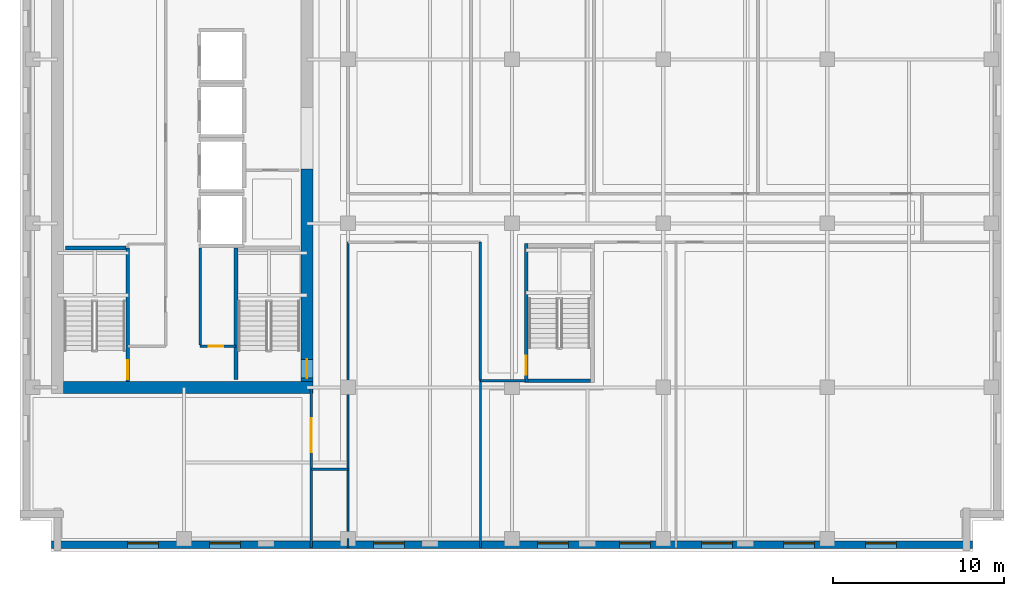
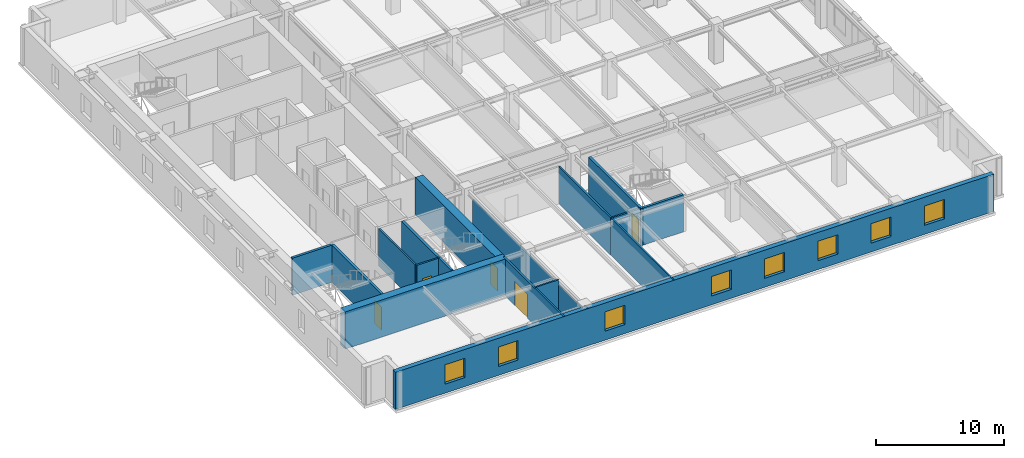
# One storey, part 3 of 11: 17 walls, 8 windows, 5 doors, 13 openings.
"""IFC4 building model written with IfcOpenShell, lengths in metres."""

from ifc_helpers import new_model, si_unit, direction, frame, frame_2d, origin, place, context, subcontext, project, spatial, rectangle, extrude, material, layer, layer_set, type_object, element, fill, save


model = new_model("IFC4")

# Units and contexts
model_context = context("Model", 3, precision=1e-05, world=origin(), true_north=direction((0.0, 1.0)))
body_context = subcontext(model_context, "Body", "Model", "MODEL_VIEW")
ifc_project = project(units=[si_unit("LENGTHUNIT", "METRE"), si_unit("AREAUNIT", "SQUARE_METRE"), si_unit("VOLUMEUNIT", "CUBIC_METRE"), si_unit("PLANEANGLEUNIT", "RADIAN"), si_unit("MASSUNIT", "GRAM", prefix="KILO")], contexts=[model_context])

# Site, building, storey
site_placement = place(None, origin())
site = spatial("IfcSite", under=ifc_project, at=site_placement, CompositionType="ELEMENT")
building_placement = place(site_placement, origin())
building = spatial("IfcBuilding", under=site, at=building_placement, Name="Norrvale University Quadrangle", CompositionType="ELEMENT")
storey_placement = place(building_placement, frame((0.0, 0.0, 210.39990234375)))
storey = spatial("IfcBuildingStorey", under=building, at=storey_placement, Name="L53", CompositionType="ELEMENT", Elevation=210.39990234375)

# Wall, openings, windows
ifc_material_1 = material(Name="Buff Norman Clay Brick Masonry", Category="masonry")
ifc_layer_1 = layer(ifc_material_1, 0.419921875, Name="Buff Norman Clay Brick Masonry")
ifc_layer_set_1 = layer_set([ifc_layer_1], Name="Buff Norman Clay Brick Masonry")
wall_type_1 = type_object("IfcWallType", Name="Wall Buff Brick 420", PredefinedType="SOLIDWALL", material=ifc_layer_set_1)
wall_1_placement = place(storey_placement, frame((1.840087890625, 0.389892578125, 0.0), z_axis=(0.0, 0.0, 1.0), x_axis=(1.0, 0.0, 0.0)))
wall_1 = element("IfcWall", 1, at=wall_1_placement, inside=storey, type_object=wall_type_1, Name="Exterior Brick Facade Wall L53-01.1", PredefinedType="SOLIDWALL", context=body_context, shape_type="SweptSolid", body=[
    extrude(rectangle(XDim=53.919921875, YDim=0.419921875, at=frame_2d((26.9599609375, 0.0))), origin(), (0.0, 0.0, 1.0), 3.5400390625),
])
opening_1_placement = place(wall_1_placement, frame((4.4599609375, 0.0, 0.85009765625)))
opening_1 = element("IfcOpeningElement", 2, at=opening_1_placement, cuts=wall_1, Name="Opening W01", PredefinedType="OPENING", context=body_context, shape_type="SweptSolid", body=[
    extrude(rectangle(XDim=1.800048828125, YDim=1.85009765625, at=frame_2d((0.89990234375, 0.925048828125))), frame((0.0, 0.221923828125, 0.0), z_axis=(0.0, -1.0, 0.0), x_axis=(1.0, 0.0, 0.0)), (0.0, 0.0, 1.0), 0.44384765625),
])
opening_2_placement = place(wall_1_placement, frame((9.260009765625, 0.0, 0.85009765625)))
opening_2 = element("IfcOpeningElement", 3, at=opening_2_placement, cuts=wall_1, Name="Opening W01", PredefinedType="OPENING", context=body_context, shape_type="SweptSolid", body=[
    extrude(rectangle(XDim=1.800048828125, YDim=1.85009765625, at=frame_2d((0.89990234375, 0.925048828125))), frame((0.0, 0.221923828125, 0.0), z_axis=(0.0, -1.0, 0.0), x_axis=(1.0, 0.0, 0.0)), (0.0, 0.0, 1.0), 0.44384765625),
])
opening_3_placement = place(wall_1_placement, frame((18.860107421875, 0.0, 0.85009765625)))
opening_3 = element("IfcOpeningElement", 4, at=opening_3_placement, cuts=wall_1, Name="Opening W01", PredefinedType="OPENING", context=body_context, shape_type="SweptSolid", body=[
    extrude(rectangle(XDim=1.800048828125, YDim=1.85009765625, at=frame_2d((0.89990234375, 0.925048828125))), frame((0.0, 0.221923828125, 0.0), z_axis=(0.0, -1.0, 0.0), x_axis=(1.0, 0.0, 0.0)), (0.0, 0.0, 1.0), 0.44384765625),
])
opening_4_placement = place(wall_1_placement, frame((28.4599609375, 0.0, 0.85009765625)))
opening_4 = element("IfcOpeningElement", 5, at=opening_4_placement, cuts=wall_1, Name="Opening W01", PredefinedType="OPENING", context=body_context, shape_type="SweptSolid", body=[
    extrude(rectangle(XDim=1.800048828125, YDim=1.85009765625, at=frame_2d((0.89990234375, 0.925048828125))), frame((0.0, 0.221923828125, 0.0), z_axis=(0.0, -1.0, 0.0), x_axis=(1.0, 0.0, 0.0)), (0.0, 0.0, 1.0), 0.44384765625),
])
opening_5_placement = place(wall_1_placement, frame((33.260009765625, 0.0, 0.85009765625)))
opening_5 = element("IfcOpeningElement", 6, at=opening_5_placement, cuts=wall_1, Name="Opening W01", PredefinedType="OPENING", context=body_context, shape_type="SweptSolid", body=[
    extrude(rectangle(XDim=1.800048828125, YDim=1.85009765625, at=frame_2d((0.89990234375, 0.925048828125))), frame((0.0, 0.221923828125, 0.0), z_axis=(0.0, -1.0, 0.0), x_axis=(1.0, 0.0, 0.0)), (0.0, 0.0, 1.0), 0.44384765625),
])
opening_6_placement = place(wall_1_placement, frame((38.06005859375, 0.0, 0.85009765625)))
opening_6 = element("IfcOpeningElement", 7, at=opening_6_placement, cuts=wall_1, Name="Opening W01", PredefinedType="OPENING", context=body_context, shape_type="SweptSolid", body=[
    extrude(rectangle(XDim=1.800048828125, YDim=1.85009765625, at=frame_2d((0.89990234375, 0.925048828125))), frame((0.0, 0.221923828125, 0.0), z_axis=(0.0, -1.0, 0.0), x_axis=(1.0, 0.0, 0.0)), (0.0, 0.0, 1.0), 0.44384765625),
])
opening_7_placement = place(wall_1_placement, frame((42.860107421875, 0.0, 0.85009765625)))
opening_7 = element("IfcOpeningElement", 8, at=opening_7_placement, cuts=wall_1, Name="Opening W01", PredefinedType="OPENING", context=body_context, shape_type="SweptSolid", body=[
    extrude(rectangle(XDim=1.800048828125, YDim=1.85009765625, at=frame_2d((0.89990234375, 0.925048828125))), frame((0.0, 0.221923828125, 0.0), z_axis=(0.0, -1.0, 0.0), x_axis=(1.0, 0.0, 0.0)), (0.0, 0.0, 1.0), 0.44384765625),
])
opening_8_placement = place(wall_1_placement, frame((47.659912109375, 0.0, 0.85009765625)))
opening_8 = element("IfcOpeningElement", 9, at=opening_8_placement, cuts=wall_1, Name="Opening W01", PredefinedType="OPENING", context=body_context, shape_type="SweptSolid", body=[
    extrude(rectangle(XDim=1.800048828125, YDim=1.85009765625, at=frame_2d((0.89990234375, 0.925048828125))), frame((0.0, 0.221923828125, 0.0), z_axis=(0.0, -1.0, 0.0), x_axis=(1.0, 0.0, 0.0)), (0.0, 0.0, 1.0), 0.44384765625),
])
ifc_material_2 = material(Name="Triple Low-E Argon Glazing", Category="glass")
window_type = type_object("IfcWindowType", Name="Window Academic 1800x2300", PartitioningType="DOUBLE_PANEL_VERTICAL", PredefinedType="WINDOW", material=ifc_material_2)
window_1_placement = place(opening_1_placement, origin())
window_1 = element("IfcWindow", 10, at=window_1_placement, inside=storey, type_object=window_type, Name="Window Academic 1800x2300 WIN-L53-E01-1-01", OverallHeight=1.85009765625, OverallWidth=1.800048828125, PartitioningType="DOUBLE_PANEL_VERTICAL", PredefinedType="WINDOW", context=body_context, shape_type="SweptSolid", body=[
    extrude(rectangle(XDim=1.800048828125, YDim=1.85009765625, at=frame_2d((0.89990234375, 0.925048828125))), frame((0.0, 0.110107421875, 0.0), z_axis=(0.0, -1.0, 0.0), x_axis=(1.0, 0.0, 0.0)), (0.0, 0.0, 1.0), 0.06005859375),
])
fill(opening_1, window_1)
window_2_placement = place(opening_2_placement, origin())
window_2 = element("IfcWindow", 11, at=window_2_placement, inside=storey, type_object=window_type, Name="Window Academic 1800x2300 WIN-L53-E01-1-02", OverallHeight=1.85009765625, OverallWidth=1.800048828125, PartitioningType="DOUBLE_PANEL_VERTICAL", PredefinedType="WINDOW", context=body_context, shape_type="SweptSolid", body=[
    extrude(rectangle(XDim=1.800048828125, YDim=1.85009765625, at=frame_2d((0.89990234375, 0.925048828125))), frame((0.0, 0.110107421875, 0.0), z_axis=(0.0, -1.0, 0.0), x_axis=(1.0, 0.0, 0.0)), (0.0, 0.0, 1.0), 0.06005859375),
])
fill(opening_2, window_2)
window_3_placement = place(opening_3_placement, origin())
window_3 = element("IfcWindow", 12, at=window_3_placement, inside=storey, type_object=window_type, Name="Window Academic 1800x2300 WIN-L53-E01-1-03", OverallHeight=1.85009765625, OverallWidth=1.800048828125, PartitioningType="DOUBLE_PANEL_VERTICAL", PredefinedType="WINDOW", context=body_context, shape_type="SweptSolid", body=[
    extrude(rectangle(XDim=1.800048828125, YDim=1.85009765625, at=frame_2d((0.89990234375, 0.925048828125))), frame((0.0, 0.110107421875, 0.0), z_axis=(0.0, -1.0, 0.0), x_axis=(1.0, 0.0, 0.0)), (0.0, 0.0, 1.0), 0.06005859375),
])
fill(opening_3, window_3)
window_4_placement = place(opening_4_placement, origin())
window_4 = element("IfcWindow", 13, at=window_4_placement, inside=storey, type_object=window_type, Name="Window Academic 1800x2300 WIN-L53-E01-1-04", OverallHeight=1.85009765625, OverallWidth=1.800048828125, PartitioningType="DOUBLE_PANEL_VERTICAL", PredefinedType="WINDOW", context=body_context, shape_type="SweptSolid", body=[
    extrude(rectangle(XDim=1.800048828125, YDim=1.85009765625, at=frame_2d((0.89990234375, 0.925048828125))), frame((0.0, 0.110107421875, 0.0), z_axis=(0.0, -1.0, 0.0), x_axis=(1.0, 0.0, 0.0)), (0.0, 0.0, 1.0), 0.06005859375),
])
fill(opening_4, window_4)
window_5_placement = place(opening_5_placement, origin())
window_5 = element("IfcWindow", 14, at=window_5_placement, inside=storey, type_object=window_type, Name="Window Academic 1800x2300 WIN-L53-E01-1-05", OverallHeight=1.85009765625, OverallWidth=1.800048828125, PartitioningType="DOUBLE_PANEL_VERTICAL", PredefinedType="WINDOW", context=body_context, shape_type="SweptSolid", body=[
    extrude(rectangle(XDim=1.800048828125, YDim=1.85009765625, at=frame_2d((0.89990234375, 0.925048828125))), frame((0.0, 0.110107421875, 0.0), z_axis=(0.0, -1.0, 0.0), x_axis=(1.0, 0.0, 0.0)), (0.0, 0.0, 1.0), 0.06005859375),
])
fill(opening_5, window_5)
window_6_placement = place(opening_6_placement, origin())
window_6 = element("IfcWindow", 15, at=window_6_placement, inside=storey, type_object=window_type, Name="Window Academic 1800x2300 WIN-L53-E01-1-06", OverallHeight=1.85009765625, OverallWidth=1.800048828125, PartitioningType="DOUBLE_PANEL_VERTICAL", PredefinedType="WINDOW", context=body_context, shape_type="SweptSolid", body=[
    extrude(rectangle(XDim=1.800048828125, YDim=1.85009765625, at=frame_2d((0.89990234375, 0.925048828125))), frame((0.0, 0.110107421875, 0.0), z_axis=(0.0, -1.0, 0.0), x_axis=(1.0, 0.0, 0.0)), (0.0, 0.0, 1.0), 0.06005859375),
])
fill(opening_6, window_6)
window_7_placement = place(opening_7_placement, origin())
window_7 = element("IfcWindow", 16, at=window_7_placement, inside=storey, type_object=window_type, Name="Window Academic 1800x2300 WIN-L53-E01-1-07", OverallHeight=1.85009765625, OverallWidth=1.800048828125, PartitioningType="DOUBLE_PANEL_VERTICAL", PredefinedType="WINDOW", context=body_context, shape_type="SweptSolid", body=[
    extrude(rectangle(XDim=1.800048828125, YDim=1.85009765625, at=frame_2d((0.89990234375, 0.925048828125))), frame((0.0, 0.110107421875, 0.0), z_axis=(0.0, -1.0, 0.0), x_axis=(1.0, 0.0, 0.0)), (0.0, 0.0, 1.0), 0.06005859375),
])
fill(opening_7, window_7)
window_8_placement = place(opening_8_placement, origin())
window_8 = element("IfcWindow", 17, at=window_8_placement, inside=storey, type_object=window_type, Name="Window Academic 1800x2300 WIN-L53-E01-1-08", OverallHeight=1.85009765625, OverallWidth=1.800048828125, PartitioningType="DOUBLE_PANEL_VERTICAL", PredefinedType="WINDOW", context=body_context, shape_type="SweptSolid", body=[
    extrude(rectangle(XDim=1.800048828125, YDim=1.85009765625, at=frame_2d((0.89990234375, 0.925048828125))), frame((0.0, 0.110107421875, 0.0), z_axis=(0.0, -1.0, 0.0), x_axis=(1.0, 0.0, 0.0)), (0.0, 0.0, 1.0), 0.06005859375),
])
fill(opening_8, window_8)

# Wall
ifc_material_3 = material(Name="Concrete C60/75", Category="concrete")
ifc_layer_2 = layer(ifc_material_3, 0.699951171875, Name="Concrete C60/75")
ifc_layer_set_2 = layer_set([ifc_layer_2], Name="Concrete C60/75")
wall_type_2 = type_object("IfcWallType", Name="Wall Core 700", PredefinedType="SHEAR", material=ifc_layer_set_2)
wall_2_placement = place(storey_placement, frame((2.550048828125, 9.60009765625, 0.0), z_axis=(0.0, 0.0, 1.0), x_axis=(1.0, 0.0, 0.0)))
element("IfcWall", 18, at=wall_2_placement, inside=storey, type_object=wall_type_2, Name="Tower Core Shear Wall L53-S", PredefinedType="SHEAR", context=body_context, shape_type="SweptSolid", body=[
    extrude(rectangle(XDim=14.599853515625, YDim=0.699951171875, at=frame_2d((7.2998046875, 0.0))), origin(), (0.0, 0.0, 1.0), 3.5400390625),
])

# Wall, opening, door
wall_3_placement = place(storey_placement, frame((16.800048828125, 9.949951171875, 0.0), z_axis=(0.0, 0.0, 1.0), x_axis=(0.0, 1.0, 0.0)))
wall_3 = element("IfcWall", 19, at=wall_3_placement, inside=storey, type_object=wall_type_2, Name="Tower Core Shear Wall L53-E1", PredefinedType="SHEAR", context=body_context, shape_type="SweptSolid", body=[
    extrude(rectangle(XDim=12.449951171875, YDim=0.699951171875, at=frame_2d((6.22509765625, 0.0))), origin(), (0.0, 0.0, 1.0), 3.5400390625),
])
opening_9_placement = place(wall_3_placement, frame((0.18994140625, 0.0, 0.0)))
opening_9 = element("IfcOpeningElement", 20, at=opening_9_placement, cuts=wall_3, Name="Opening D02", PredefinedType="OPENING", context=body_context, shape_type="SweptSolid", body=[
    extrude(rectangle(XDim=1.10009765625, YDim=2.199951171875, at=frame_2d((0.550048828125, 1.10009765625))), frame((0.0, 0.362060546875, 0.0), z_axis=(0.0, -1.0, 0.0), x_axis=(1.0, 0.0, 0.0)), (0.0, 0.0, 1.0), 0.723876953125),
])
ifc_material_4 = material(Name="Hollow Steel 350W Fire Door", Category="steel")
door_type_1 = type_object("IfcDoorType", Name="Door Stair Exit 1100x2200", OperationType="NOTDEFINED", PredefinedType="DOOR", material=ifc_material_4)
door_1_placement = place(opening_9_placement, origin())
door_1 = element("IfcDoor", 21, at=door_1_placement, inside=storey, type_object=door_type_1, Name="Door Stair Exit 1100x2200 DR-L53-ST03", OperationType="SINGLE_SWING_LEFT", OverallHeight=2.199951171875, OverallWidth=1.10009765625, PredefinedType="DOOR", context=body_context, shape_type="SweptSolid", body=[
    extrude(rectangle(XDim=1.10009765625, YDim=2.199951171875, at=frame_2d((0.550048828125, 1.10009765625))), frame((0.0, 0.02490234375, 0.0), z_axis=(0.0, -1.0, 0.0), x_axis=(1.0, 0.0, 0.0)), (0.0, 0.0, 1.0), 0.050048828125),
])
fill(opening_9, door_1)

# Walls
ifc_material_5 = material(Name="Standard Academic Gypsum Partition")
ifc_layer_3 = layer(ifc_material_5, 0.125, Name="Standard Academic Gypsum Partition")
ifc_layer_set_3 = layer_set([ifc_layer_3], Name="Standard Academic Gypsum Partition")
wall_type_3 = type_object("IfcWallType", Name="Wall Gypsum Academic 125", PredefinedType="PARTITIONING", material=ifc_layer_set_3)
wall_4_placement = place(storey_placement, frame((19.199951171875, 0.219970703125, 0.0), z_axis=(0.0, 0.0, 1.0), x_axis=(0.0, 1.0, 0.0)))
element("IfcWall", 22, at=wall_4_placement, inside=storey, type_object=wall_type_3, Name="Interior Partition WL-L53-SE-W0", PredefinedType="PARTITIONING", context=body_context, shape_type="SweptSolid", body=[
    extrude(rectangle(XDim=0.530029296875, YDim=0.125, at=frame_2d((0.26513671875, 0.0))), origin(), (0.0, 0.0, 1.0), 3.5400390625),
])
wall_5_placement = place(storey_placement, frame((19.199951171875, 0.75, 0.0), z_axis=(0.0, 0.0, 1.0), x_axis=(0.0, 1.0, 0.0)))
element("IfcWall", 23, at=wall_5_placement, inside=storey, type_object=wall_type_3, Name="Interior Partition WL-L53-SE-W0-B2", PredefinedType="PARTITIONING", context=body_context, shape_type="SweptSolid", body=[
    extrude(rectangle(XDim=17.35009765625, YDim=0.125, at=frame_2d((8.675048828125, 0.0))), origin(), (0.0, 0.0, 1.0), 3.071044921875),
])
wall_6_placement = place(storey_placement, frame((26.949951171875, 0.219970703125, 0.0), z_axis=(0.0, 0.0, 1.0), x_axis=(0.0, 1.0, 0.0)))
element("IfcWall", 24, at=wall_6_placement, inside=storey, type_object=wall_type_3, Name="Interior Partition WL-L53-SEP1A", PredefinedType="PARTITIONING", context=body_context, shape_type="SweptSolid", body=[
    extrude(rectangle(XDim=9.780029296875, YDim=0.125, at=frame_2d((4.89013671875, 0.0))), origin(), (0.0, 0.0, 1.0), 3.5400390625),
])

# Wall, opening, door
ifc_material_6 = material(Name="Fire-Rated Gypsum Stud Partition")
ifc_layer_4 = layer(ifc_material_6, 0.14990234375, Name="Fire-Rated Gypsum Stud Partition")
ifc_layer_set_4 = layer_set([ifc_layer_4], Name="Fire-Rated Gypsum Stud Partition")
wall_type_4 = type_object("IfcWallType", Name="Wall Gypsum Corridor 150", PredefinedType="PARTITIONING", material=ifc_layer_set_4)
wall_7_placement = place(storey_placement, frame((10.550048828125, 12.02001953125, 0.0), z_axis=(0.0, 0.0, 1.0), x_axis=(1.0, 0.0, 0.0)))
wall_7 = element("IfcWall", 25, at=wall_7_placement, inside=storey, type_object=wall_type_4, Name="Interior Partition WL-L53-SC-NR", PredefinedType="PARTITIONING", context=body_context, shape_type="SweptSolid", body=[
    extrude(rectangle(XDim=2.079833984375, YDim=0.14990234375, at=frame_2d((1.0400390625, 0.0))), origin(), (0.0, 0.0, 1.0), 3.5400390625),
])
opening_10_placement = place(wall_7_placement, frame((0.5, 0.0, 0.0)))
opening_10 = element("IfcOpeningElement", 26, at=opening_10_placement, cuts=wall_7, Name="Opening D10", PredefinedType="OPENING", context=body_context, shape_type="SweptSolid", body=[
    extrude(rectangle(XDim=0.85009765625, YDim=2.10009765625, at=frame_2d((0.425048828125, 1.050048828125))), frame((0.0, 0.0869140625, 0.0), z_axis=(0.0, -1.0, 0.0), x_axis=(1.0, 0.0, 0.0)), (0.0, 0.0, 1.0), 0.173828125),
])
ifc_material_7 = material(Name="Hollow Steel 350W Riser Fire Door", Category="steel")
door_type_2 = type_object("IfcDoorType", Name="Door Riser 850x2100", OperationType="NOTDEFINED", PredefinedType="DOOR", material=ifc_material_7)
door_2_placement = place(opening_10_placement, origin())
door_2 = element("IfcDoor", 27, at=door_2_placement, inside=storey, type_object=door_type_2, Name="Door Riser 850x2100 DR-L53-IDF", OperationType="SINGLE_SWING_RIGHT", OverallHeight=2.10009765625, OverallWidth=0.85009765625, PredefinedType="DOOR", context=body_context, shape_type="SweptSolid", body=[
    extrude(rectangle(XDim=0.85009765625, YDim=2.10009765625, at=frame_2d((0.425048828125, 1.050048828125))), frame((0.0, 0.02490234375, 0.0), z_axis=(0.0, -1.0, 0.0), x_axis=(1.0, 0.0, 0.0)), (0.0, 0.0, 1.0), 0.050048828125),
])
fill(opening_10, door_2)

# Walls
wall_8_placement = place(storey_placement, frame((10.550048828125, 12.094970703125, 0.0), z_axis=(0.0, 0.0, 1.0), x_axis=(0.0, 1.0, 0.0)))
element("IfcWall", 28, at=wall_8_placement, inside=storey, type_object=wall_type_4, Name="Interior Partition WL-L53-SC-WR", PredefinedType="PARTITIONING", context=body_context, shape_type="SweptSolid", body=[
    extrude(rectangle(XDim=5.679931640625, YDim=0.14990234375, at=frame_2d((2.83984375, 0.0))), origin(), (0.0, 0.0, 1.0), 3.5400390625),
])
wall_9_placement = place(storey_placement, frame((17.050048828125, 4.800048828125, 0.0), z_axis=(0.0, 0.0, 1.0), x_axis=(1.0, 0.0, 0.0)))
element("IfcWall", 29, at=wall_9_placement, inside=storey, type_object=wall_type_4, Name="Interior Partition WL-L53-CSP-S", PredefinedType="PARTITIONING", context=body_context, shape_type="SweptSolid", body=[
    extrude(rectangle(XDim=2.14990234375, YDim=0.14990234375, at=frame_2d((1.074951171875, 0.0))), origin(), (0.0, 0.0, 1.0), 3.5400390625),
])

# Wall, opening, door
wall_10_placement = place(storey_placement, frame((17.050048828125, 0.219970703125, 0.0), z_axis=(0.0, 0.0, 1.0), x_axis=(0.0, 1.0, 0.0)))
wall_10 = element("IfcWall", 30, at=wall_10_placement, inside=storey, type_object=wall_type_4, Name="Interior Partition WL-L53-SW-E", PredefinedType="PARTITIONING", context=body_context, shape_type="SweptSolid", body=[
    extrude(rectangle(XDim=9.380126953125, YDim=0.14990234375, at=frame_2d((4.68994140625, 0.0))), origin(), (0.0, 0.0, 1.0), 3.5400390625),
])
opening_11_placement = place(wall_10_placement, frame((5.580078125, 0.0, 0.0)))
opening_11 = element("IfcOpeningElement", 31, at=opening_11_placement, cuts=wall_10, Name="Opening D06", PredefinedType="OPENING", context=body_context, shape_type="SweptSolid", body=[
    extrude(rectangle(XDim=2.0, YDim=2.300048828125, at=frame_2d((1.0, 1.14990234375))), frame((0.0, 0.0869140625, 0.0), z_axis=(0.0, -1.0, 0.0), x_axis=(1.0, 0.0, 0.0)), (0.0, 0.0, 1.0), 0.173828125),
])
ifc_material_8 = material(Name="Acoustic Oak Double Door", Category="wood")
door_type_3 = type_object("IfcDoorType", Name="Door Lecture Dbl 2000x2300", OperationType="DOUBLE_SWING_LEFT", PredefinedType="DOOR", material=ifc_material_8)
door_3_placement = place(opening_11_placement, origin())
door_3 = element("IfcDoor", 32, at=door_3_placement, inside=storey, type_object=door_type_3, Name="Door Lecture Dbl 2000x2300 DR-L53-SW1", OperationType="DOUBLE_SWING_LEFT", OverallHeight=2.300048828125, OverallWidth=2.0, PredefinedType="DOOR", context=body_context, shape_type="SweptSolid", body=[
    extrude(rectangle(XDim=2.0, YDim=2.300048828125, at=frame_2d((1.0, 1.14990234375))), frame((0.0, 0.02490234375, 0.0), z_axis=(0.0, -1.0, 0.0), x_axis=(1.0, 0.0, 0.0)), (0.0, 0.0, 1.0), 0.050048828125),
])
fill(opening_11, door_3)

# Walls
wall_11_placement = place(storey_placement, frame((26.949951171875, 10.0, 0.0), z_axis=(0.0, 0.0, 1.0), x_axis=(0.0, 1.0, 0.0)))
element("IfcWall", 33, at=wall_11_placement, inside=storey, type_object=wall_type_4, Name="Interior Partition WL-L53-SEP1B", PredefinedType="PARTITIONING", context=body_context, shape_type="SweptSolid", body=[
    extrude(rectangle(XDim=8.10009765625, YDim=0.14990234375, at=frame_2d((4.050048828125, 0.0))), origin(), (0.0, 0.0, 1.0), 3.5400390625),
])
wall_12_placement = place(storey_placement, frame((26.949951171875, 10.0, 0.0), z_axis=(0.0, 0.0, 1.0), x_axis=(1.0, 0.0, 0.0)))
element("IfcWall", 34, at=wall_12_placement, inside=storey, type_object=wall_type_4, Name="Interior Partition WL-L53-SEP1C", PredefinedType="PARTITIONING", context=body_context, shape_type="SweptSolid", body=[
    extrude(rectangle(XDim=2.630126953125, YDim=0.14990234375, at=frame_2d((1.31494140625, 0.0))), origin(), (0.0, 0.0, 1.0), 3.5400390625),
])

# Wall, opening, door
ifc_material_9 = material(Name="Concrete Blockwork 20 MPa Fire Shaft", Category="masonry")
ifc_layer_5 = layer(ifc_material_9, 0.219970703125, Name="Concrete Blockwork 20 MPa Fire Shaft")
ifc_layer_set_5 = layer_set([ifc_layer_5], Name="Concrete Blockwork 20 MPa Fire Shaft")
wall_type_5 = type_object("IfcWallType", Name="Wall Shaft 220", PredefinedType="SOLIDWALL", material=ifc_layer_set_5)
wall_13_placement = place(storey_placement, frame((6.31005859375, 9.949951171875, 0.0), z_axis=(0.0, 0.0, 1.0), x_axis=(0.0, 1.0, 0.0)))
wall_13 = element("IfcWall", 35, at=wall_13_placement, inside=storey, type_object=wall_type_5, Name="Stair ST-01 East Shaft Wall L53", PredefinedType="SOLIDWALL", context=body_context, shape_type="SweptSolid", body=[
    extrude(rectangle(XDim=7.81005859375, YDim=0.219970703125, at=frame_2d((3.905029296875, 0.0))), origin(), (0.0, 0.0, 1.0), 3.5400390625),
])
opening_12_placement = place(wall_13_placement, frame((0.139892578125, 0.0, 0.0)))
opening_12 = element("IfcOpeningElement", 36, at=opening_12_placement, cuts=wall_13, Name="Opening D02", PredefinedType="OPENING", context=body_context, shape_type="SweptSolid", body=[
    extrude(rectangle(XDim=1.10009765625, YDim=2.199951171875, at=frame_2d((0.550048828125, 1.10009765625))), frame((0.0, 0.1220703125, 0.0), z_axis=(0.0, -1.0, 0.0), x_axis=(1.0, 0.0, 0.0)), (0.0, 0.0, 1.0), 0.243896484375),
])
door_4_placement = place(opening_12_placement, origin())
door_4 = element("IfcDoor", 37, at=door_4_placement, inside=storey, type_object=door_type_1, Name="Door Stair Exit 1100x2200 DR-L53-ST01", OperationType="SINGLE_SWING_LEFT", OverallHeight=2.199951171875, OverallWidth=1.10009765625, PredefinedType="DOOR", context=body_context, shape_type="SweptSolid", body=[
    extrude(rectangle(XDim=1.10009765625, YDim=2.199951171875, at=frame_2d((0.550048828125, 1.10009765625))), frame((0.0, 0.02490234375, 0.0), z_axis=(0.0, -1.0, 0.0), x_axis=(1.0, 0.0, 0.0)), (0.0, 0.0, 1.0), 0.050048828125),
])
fill(opening_12, door_4)

# Walls
wall_14_placement = place(storey_placement, frame((2.64990234375, 17.760009765625, 0.0), z_axis=(0.0, 0.0, 1.0), x_axis=(1.0, 0.0, 0.0)))
element("IfcWall", 38, at=wall_14_placement, inside=storey, type_object=wall_type_5, Name="Stair ST-01 North Shaft Wall L53", PredefinedType="SOLIDWALL", context=body_context, shape_type="SweptSolid", body=[
    extrude(rectangle(XDim=3.550048828125, YDim=0.219970703125, at=frame_2d((1.77490234375, 0.0))), origin(), (0.0, 0.0, 1.0), 3.5400390625),
])
wall_15_placement = place(storey_placement, frame((12.639892578125, 10.050048828125, 0.0), z_axis=(0.0, 0.0, 1.0), x_axis=(0.0, 1.0, 0.0)))
element("IfcWall", 39, at=wall_15_placement, inside=storey, type_object=wall_type_5, Name="Stair ST-03 West Shaft Wall L53", PredefinedType="SOLIDWALL", context=body_context, shape_type="SweptSolid", body=[
    extrude(rectangle(XDim=7.7099609375, YDim=0.219970703125, at=frame_2d((3.85498046875, 0.0))), origin(), (0.0, 0.0, 1.0), 3.5400390625),
])
wall_16_placement = place(storey_placement, frame((29.75, 9.989990234375, 0.0), z_axis=(0.0, 0.0, 1.0), x_axis=(1.0, 0.0, 0.0)))
element("IfcWall", 40, at=wall_16_placement, inside=storey, type_object=wall_type_5, Name="Stair ST-04 South Shaft Wall L53", PredefinedType="SOLIDWALL", context=body_context, shape_type="SweptSolid", body=[
    extrude(rectangle(XDim=3.64990234375, YDim=0.219970703125, at=frame_2d((1.824951171875, 0.0))), origin(), (0.0, 0.0, 1.0), 3.5400390625),
])

# Wall, opening, door
wall_17_placement = place(storey_placement, frame((29.639892578125, 9.8798828125, 0.0), z_axis=(0.0, 0.0, 1.0), x_axis=(0.0, 1.0, 0.0)))
wall_17 = element("IfcWall", 41, at=wall_17_placement, inside=storey, type_object=wall_type_5, Name="Stair ST-04 West Shaft Wall L53", PredefinedType="SOLIDWALL", context=body_context, shape_type="SweptSolid", body=[
    extrude(rectangle(XDim=8.14013671875, YDim=0.219970703125, at=frame_2d((4.070068359375, 0.0))), origin(), (0.0, 0.0, 1.0), 3.5400390625),
])
opening_13_placement = place(wall_17_placement, frame((0.469970703125, 0.0, 0.0)))
opening_13 = element("IfcOpeningElement", 42, at=opening_13_placement, cuts=wall_17, Name="Opening D02", PredefinedType="OPENING", context=body_context, shape_type="SweptSolid", body=[
    extrude(rectangle(XDim=1.10009765625, YDim=2.199951171875, at=frame_2d((0.550048828125, 1.10009765625))), frame((0.0, 0.1220703125, 0.0), z_axis=(0.0, -1.0, 0.0), x_axis=(1.0, 0.0, 0.0)), (0.0, 0.0, 1.0), 0.243896484375),
])
door_5_placement = place(opening_13_placement, frame((1.10009765625, 0.0, 0.0), z_axis=(0.0, 0.0, 1.0), x_axis=(-1.0, 0.0, 0.0)))
door_5 = element("IfcDoor", 43, at=door_5_placement, inside=storey, type_object=door_type_1, Name="Door Stair Exit 1100x2200 DR-L53-ST04", OperationType="SINGLE_SWING_RIGHT", OverallHeight=2.199951171875, OverallWidth=1.10009765625, PredefinedType="DOOR", context=body_context, shape_type="SweptSolid", body=[
    extrude(rectangle(XDim=1.10009765625, YDim=2.199951171875, at=frame_2d((0.550048828125, 1.10009765625))), frame((0.0, 0.02490234375, 0.0), z_axis=(0.0, -1.0, 0.0), x_axis=(1.0, 0.0, 0.0)), (0.0, 0.0, 1.0), 0.050048828125),
])
fill(opening_13, door_5)

save(model, "model.ifc")
